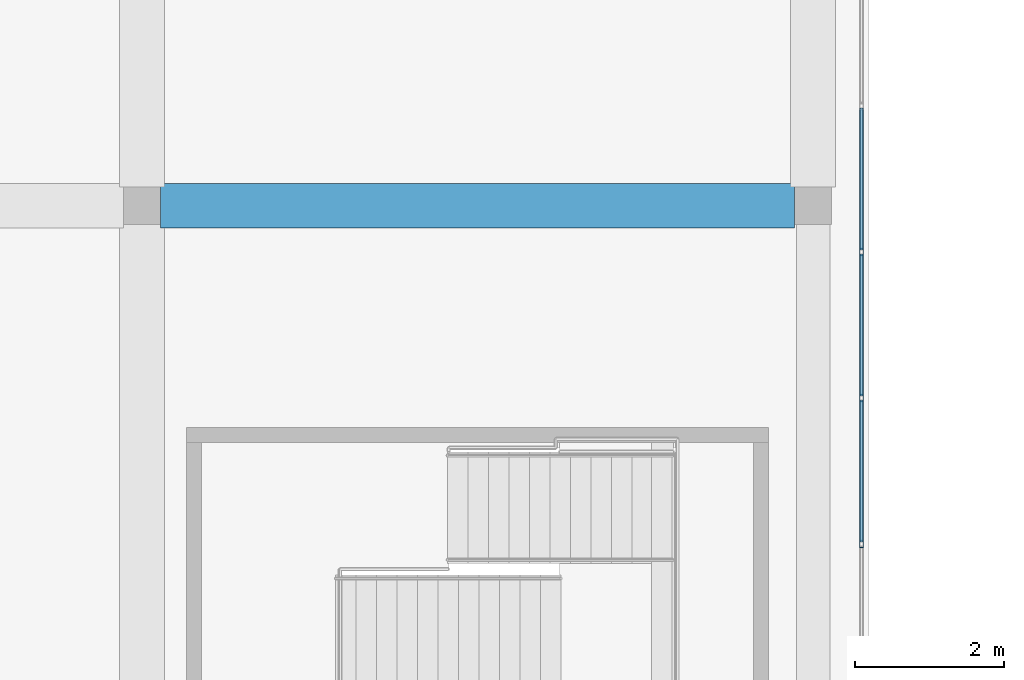
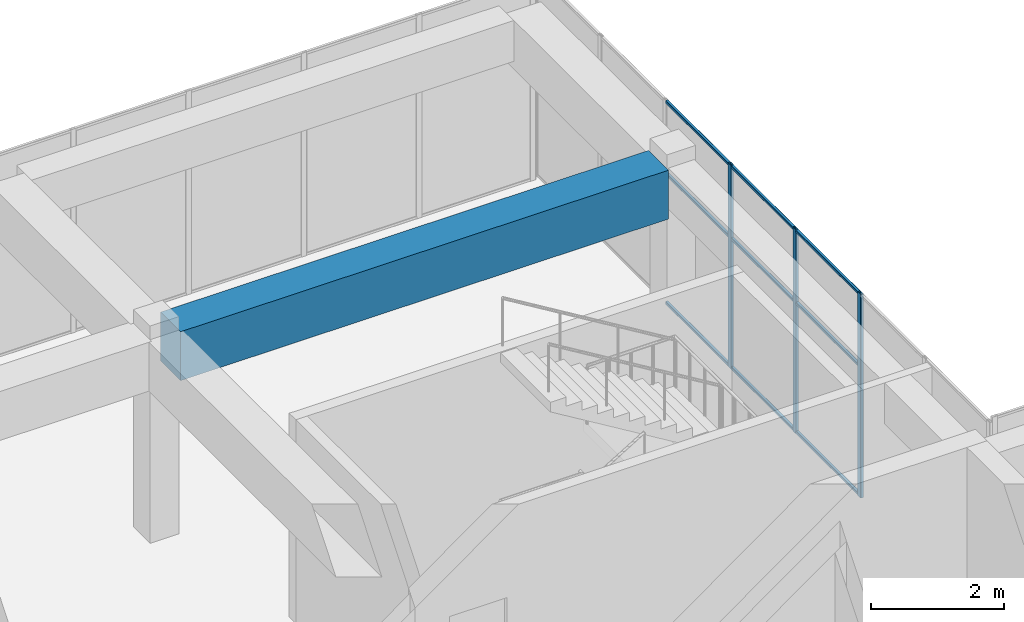
# One storey, part 24 of 34: 12 members, 1 beam, 1 element without a shape of its own.
"""IFC4 building model written with IfcOpenShell, lengths in metres."""

from ifc_helpers import new_model, si_unit, direction, frame, origin, origin_2d, place, context, subcontext, project, spatial, rectangle, hollow_rectangle, extrude, material, layer, layer_set, material_profile, profile_set, type_object, element, aggregate, save


model = new_model("IFC4")

# Units and contexts
model_context = context("Model", 3, precision=1e-05, world=origin(), true_north=direction((0.0, 1.0)))
body_context = subcontext(model_context, "Body", "Model", "MODEL_VIEW")
ifc_project = project(units=[si_unit("LENGTHUNIT", "METRE"), si_unit("AREAUNIT", "SQUARE_METRE"), si_unit("VOLUMEUNIT", "CUBIC_METRE"), si_unit("PLANEANGLEUNIT", "RADIAN"), si_unit("MASSUNIT", "GRAM", prefix="KILO")], contexts=[model_context])

# Site, building, storey
site_placement = place(None, origin())
site = spatial("IfcSite", under=ifc_project, at=site_placement, CompositionType="ELEMENT")
building_placement = place(site_placement, origin())
building = spatial("IfcBuilding", under=site, at=building_placement, Name="Tuart Plaza Theatre", CompositionType="ELEMENT")
storey_placement = place(building_placement, frame((0.0, 0.0, 53.5)))
storey = spatial("IfcBuildingStorey", under=building, at=storey_placement, Name="L13", CompositionType="ELEMENT", Elevation=53.5)

# Beam
ifc_material_1 = material(Name="Concrete N40 (40 MPa)", Category="concrete")
ifc_material_profile_1 = material_profile(ifc_material_1, rectangle(XDim=0.60009765625, YDim=0.89990234375, at=origin_2d()), Name="BEAM 600x900 Concrete N40 (40 MPa)")
ifc_profile_set_1 = profile_set([ifc_material_profile_1], Name="Concrete N40 (40 MPa)")
beam_type = type_object("IfcBeamType", Name="BEAM 600x900 Concrete N40 (40 MPa)", PredefinedType="BEAM", material=ifc_profile_set_1)
beam_placement = place(storey_placement, frame((132.25, 92.0, 3.300048828125), z_axis=(1.0, 0.0, 0.0), x_axis=(0.0, 1.0, 0.0)))
element("IfcBeam", 1, at=beam_placement, inside=storey, type_object=beam_type, Name="RB337", PredefinedType="BEAM", context=body_context, shape_type="SweptSolid", body=[
    extrude(rectangle(XDim=0.60009765625, YDim=0.89990234375, at=origin_2d()), origin(), (0.0, 0.0, 1.0), 8.5),
])

# Curtain wall, members
ifc_material_2 = material(Name="Aluminium and glass", Category="aluminium")
ifc_layer = layer(ifc_material_2, 0.10009765625)
ifc_layer_set = layer_set([ifc_layer], Name="CURTAIN WALL 2000 module")
curtain_wall_type = type_object("IfcCurtainWallType", Name="CURTAIN WALL 2000 module", PredefinedType="NOTDEFINED", material=ifc_layer_set)
curtain_wall_placement = place(storey_placement, origin())
curtain_wall = element("IfcCurtainWall", 2, at=curtain_wall_placement, inside=storey, type_object=curtain_wall_type, Name="CW116", PredefinedType="NOTDEFINED")
ifc_material_3 = material(Name="Aluminium 6063-T5", Category="aluminium")
ifc_material_profile_2 = material_profile(ifc_material_3, hollow_rectangle(XDim=0.050048828125, YDim=0.10009765625, WallThickness=0.00390625, InnerFilletRadius=0.00390625, OuterFilletRadius=0.008056640625, at=origin_2d()), Name="RHS 100x50x4")
ifc_profile_set_2 = profile_set([ifc_material_profile_2], Name="Aluminium 6063-T5")
member_type_1 = type_object("IfcMemberType", Name="MULLION RHS 100x50x4", PredefinedType="MULLION", material=ifc_profile_set_2)
member_1_placement = place(storey_placement, frame((141.64990234375, 87.46435546875, 0.0), z_axis=(0.0, 0.0, 1.0), x_axis=(-1.0, 0.0, 0.0)))
member_1 = element("IfcMember", 3, at=member_1_placement, type_object=member_type_1, Name="CW116 mullion 3", PredefinedType="MULLION", context=body_context, shape_type="SweptSolid", body=[
    extrude(hollow_rectangle(XDim=0.050048828125, YDim=0.10009765625, WallThickness=0.00390625, InnerFilletRadius=0.00390625, OuterFilletRadius=0.008056640625, at=origin_2d()), origin(), (0.0, 0.0, 1.0), 3.75),
])
member_2_placement = place(storey_placement, frame((141.64990234375, 89.42138671875, 0.0), z_axis=(0.0, 0.0, 1.0), x_axis=(-1.0, 0.0, 0.0)))
member_2 = element("IfcMember", 4, at=member_2_placement, type_object=member_type_1, Name="CW116 mullion 4", PredefinedType="MULLION", context=body_context, shape_type="SweptSolid", body=[
    extrude(hollow_rectangle(XDim=0.050048828125, YDim=0.10009765625, WallThickness=0.00390625, InnerFilletRadius=0.00390625, OuterFilletRadius=0.008056640625, at=origin_2d()), origin(), (0.0, 0.0, 1.0), 3.75),
])
member_3_placement = place(storey_placement, frame((141.64990234375, 91.378662109375, 0.0), z_axis=(0.0, 0.0, 1.0), x_axis=(-1.0, 0.0, 0.0)))
member_3 = element("IfcMember", 5, at=member_3_placement, type_object=member_type_1, Name="CW116 mullion 5", PredefinedType="MULLION", context=body_context, shape_type="SweptSolid", body=[
    extrude(hollow_rectangle(XDim=0.050048828125, YDim=0.10009765625, WallThickness=0.00390625, InnerFilletRadius=0.00390625, OuterFilletRadius=0.008056640625, at=origin_2d()), origin(), (0.0, 0.0, 1.0), 3.75),
])
ifc_material_4 = material(Name="Aluminium 6063-T5", Category="aluminium")
ifc_material_profile_3 = material_profile(ifc_material_4, hollow_rectangle(XDim=0.050048828125, YDim=0.050048828125, WallThickness=0.00390625, InnerFilletRadius=0.00390625, OuterFilletRadius=0.008056640625, at=origin_2d()), Name="RHS 50x50x4")
ifc_profile_set_3 = profile_set([ifc_material_profile_3], Name="Aluminium 6063-T5")
member_type_2 = type_object("IfcMemberType", Name="TRANSOM RHS 50x50x4", PredefinedType="USERDEFINED", material=ifc_profile_set_3)
member_4_placement = place(storey_placement, frame((141.64990234375, 87.4892578125, 0.02490234375), z_axis=(0.0, 1.0, 0.0), x_axis=(-1.0, 0.0, 0.0)))
member_4 = element("IfcMember", 6, at=member_4_placement, type_object=member_type_2, Name="CW116 transom 3.1", ObjectType="TRANSOM", PredefinedType="USERDEFINED", context=body_context, shape_type="SweptSolid", body=[
    extrude(hollow_rectangle(XDim=0.050048828125, YDim=0.050048828125, WallThickness=0.00390625, InnerFilletRadius=0.00390625, OuterFilletRadius=0.008056640625, at=origin_2d()), origin(), (0.0, 0.0, 1.0), 1.9072265625),
])
member_5_placement = place(storey_placement, frame((141.64990234375, 87.4892578125, 2.39990234375), z_axis=(0.0, 1.0, 0.0), x_axis=(-1.0, 0.0, 0.0)))
member_5 = element("IfcMember", 7, at=member_5_placement, type_object=member_type_2, Name="CW116 transom 3.2", ObjectType="TRANSOM", PredefinedType="USERDEFINED", context=body_context, shape_type="SweptSolid", body=[
    extrude(hollow_rectangle(XDim=0.050048828125, YDim=0.050048828125, WallThickness=0.00390625, InnerFilletRadius=0.00390625, OuterFilletRadius=0.008056640625, at=origin_2d()), origin(), (0.0, 0.0, 1.0), 1.9072265625),
])
member_6_placement = place(storey_placement, frame((141.64990234375, 87.4892578125, 3.72509765625), z_axis=(0.0, 1.0, 0.0), x_axis=(-1.0, 0.0, 0.0)))
member_6 = element("IfcMember", 8, at=member_6_placement, type_object=member_type_2, Name="CW116 transom 3.3", ObjectType="TRANSOM", PredefinedType="USERDEFINED", context=body_context, shape_type="SweptSolid", body=[
    extrude(hollow_rectangle(XDim=0.050048828125, YDim=0.050048828125, WallThickness=0.00390625, InnerFilletRadius=0.00390625, OuterFilletRadius=0.008056640625, at=origin_2d()), origin(), (0.0, 0.0, 1.0), 1.9072265625),
])
member_7_placement = place(storey_placement, frame((141.64990234375, 89.446533203125, 0.02490234375), z_axis=(0.0, 1.0, 0.0), x_axis=(-1.0, 0.0, 0.0)))
member_7 = element("IfcMember", 9, at=member_7_placement, type_object=member_type_2, Name="CW116 transom 4.1", ObjectType="TRANSOM", PredefinedType="USERDEFINED", context=body_context, shape_type="SweptSolid", body=[
    extrude(hollow_rectangle(XDim=0.050048828125, YDim=0.050048828125, WallThickness=0.00390625, InnerFilletRadius=0.00390625, OuterFilletRadius=0.008056640625, at=origin_2d()), origin(), (0.0, 0.0, 1.0), 1.906982421875),
])
member_8_placement = place(storey_placement, frame((141.64990234375, 89.446533203125, 2.39990234375), z_axis=(0.0, 1.0, 0.0), x_axis=(-1.0, 0.0, 0.0)))
member_8 = element("IfcMember", 10, at=member_8_placement, type_object=member_type_2, Name="CW116 transom 4.2", ObjectType="TRANSOM", PredefinedType="USERDEFINED", context=body_context, shape_type="SweptSolid", body=[
    extrude(hollow_rectangle(XDim=0.050048828125, YDim=0.050048828125, WallThickness=0.00390625, InnerFilletRadius=0.00390625, OuterFilletRadius=0.008056640625, at=origin_2d()), origin(), (0.0, 0.0, 1.0), 1.906982421875),
])
member_9_placement = place(storey_placement, frame((141.64990234375, 89.446533203125, 3.72509765625), z_axis=(0.0, 1.0, 0.0), x_axis=(-1.0, 0.0, 0.0)))
member_9 = element("IfcMember", 11, at=member_9_placement, type_object=member_type_2, Name="CW116 transom 4.3", ObjectType="TRANSOM", PredefinedType="USERDEFINED", context=body_context, shape_type="SweptSolid", body=[
    extrude(hollow_rectangle(XDim=0.050048828125, YDim=0.050048828125, WallThickness=0.00390625, InnerFilletRadius=0.00390625, OuterFilletRadius=0.008056640625, at=origin_2d()), origin(), (0.0, 0.0, 1.0), 1.906982421875),
])
member_10_placement = place(storey_placement, frame((141.64990234375, 91.403564453125, 0.02490234375), z_axis=(0.0, 1.0, 0.0), x_axis=(-1.0, 0.0, 0.0)))
member_10 = element("IfcMember", 12, at=member_10_placement, type_object=member_type_2, Name="CW116 transom 5.1", ObjectType="TRANSOM", PredefinedType="USERDEFINED", context=body_context, shape_type="SweptSolid", body=[
    extrude(hollow_rectangle(XDim=0.050048828125, YDim=0.050048828125, WallThickness=0.00390625, InnerFilletRadius=0.00390625, OuterFilletRadius=0.008056640625, at=origin_2d()), origin(), (0.0, 0.0, 1.0), 1.9072265625),
])
member_11_placement = place(storey_placement, frame((141.64990234375, 91.403564453125, 2.39990234375), z_axis=(0.0, 1.0, 0.0), x_axis=(-1.0, 0.0, 0.0)))
member_11 = element("IfcMember", 13, at=member_11_placement, type_object=member_type_2, Name="CW116 transom 5.2", ObjectType="TRANSOM", PredefinedType="USERDEFINED", context=body_context, shape_type="SweptSolid", body=[
    extrude(hollow_rectangle(XDim=0.050048828125, YDim=0.050048828125, WallThickness=0.00390625, InnerFilletRadius=0.00390625, OuterFilletRadius=0.008056640625, at=origin_2d()), origin(), (0.0, 0.0, 1.0), 1.9072265625),
])
member_12_placement = place(storey_placement, frame((141.64990234375, 91.403564453125, 3.72509765625), z_axis=(0.0, 1.0, 0.0), x_axis=(-1.0, 0.0, 0.0)))
member_12 = element("IfcMember", 14, at=member_12_placement, type_object=member_type_2, Name="CW116 transom 5.3", ObjectType="TRANSOM", PredefinedType="USERDEFINED", context=body_context, shape_type="SweptSolid", body=[
    extrude(hollow_rectangle(XDim=0.050048828125, YDim=0.050048828125, WallThickness=0.00390625, InnerFilletRadius=0.00390625, OuterFilletRadius=0.008056640625, at=origin_2d()), origin(), (0.0, 0.0, 1.0), 1.9072265625),
])
aggregate(curtain_wall, [member_1, member_2, member_3, member_4, member_5, member_6, member_7, member_8, member_9, member_10, member_11, member_12])

save(model, "model.ifc")
